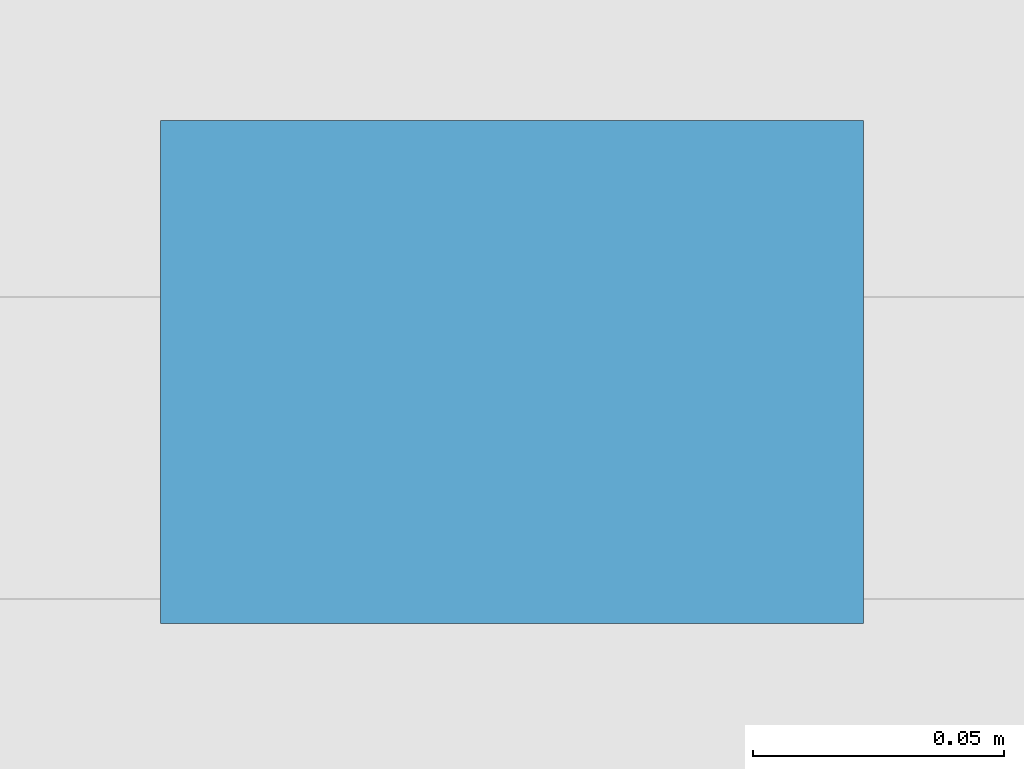
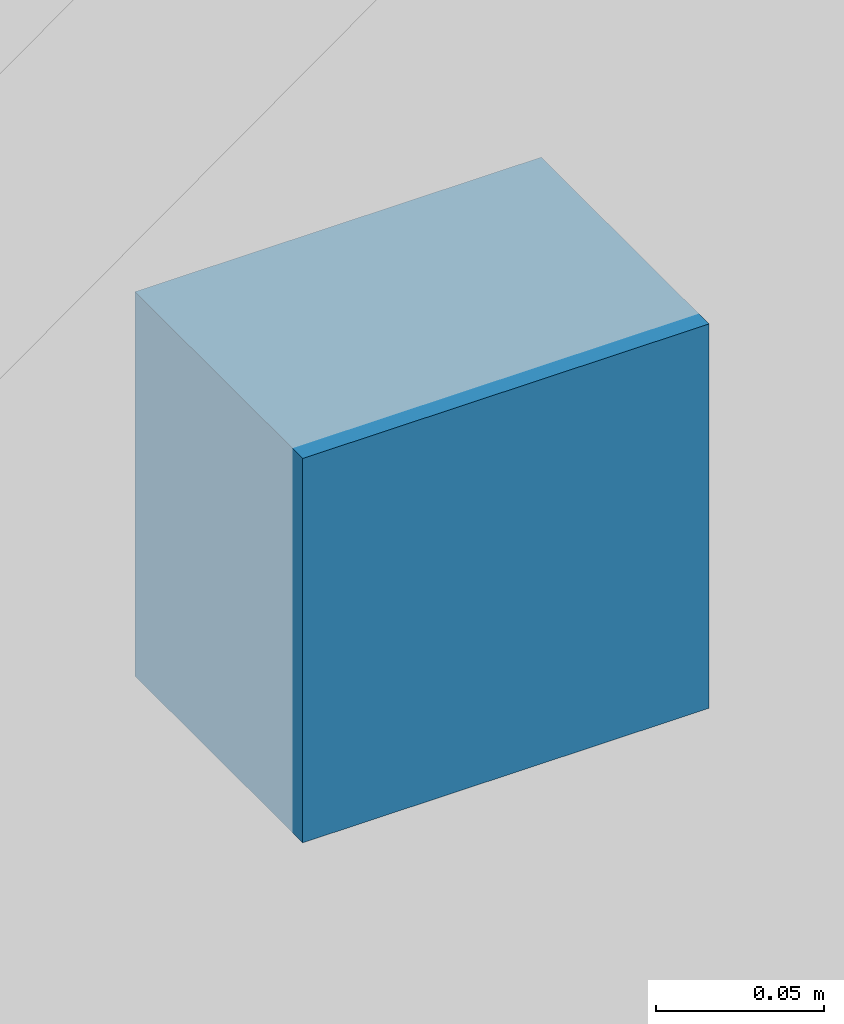
# One storey, part 105 of 127: 1 discrete accessory.
"""IFC4 building model written with IfcOpenShell, lengths in metres."""

from ifc_helpers import new_model, si_unit, direction, frame, origin, origin_2d, place, context, subcontext, project, spatial, rectangle, extrude, material, type_object, element, save


model = new_model("IFC4")

# Units and contexts
model_context = context("Model", 3, precision=1e-05, world=origin(), true_north=direction((0.0, 1.0)))
body_context = subcontext(model_context, "Body", "Model", "MODEL_VIEW")
ifc_project = project(units=[si_unit("LENGTHUNIT", "METRE"), si_unit("AREAUNIT", "SQUARE_METRE"), si_unit("VOLUMEUNIT", "CUBIC_METRE"), si_unit("PLANEANGLEUNIT", "RADIAN"), si_unit("MASSUNIT", "GRAM", prefix="KILO")], contexts=[model_context])

# Site, building, storey
site_placement = place(None, origin())
site = spatial("IfcSite", under=ifc_project, at=site_placement, CompositionType="ELEMENT")
building_placement = place(site_placement, origin())
building = spatial("IfcBuilding", under=site, at=building_placement, Name="Kalmorath City Hall", CompositionType="ELEMENT")
storey_placement = place(building_placement, frame((0.0, 0.0, 5.39990234375)))
storey = spatial("IfcBuildingStorey", under=building, at=storey_placement, Name="L01", CompositionType="ELEMENT", Elevation=5.39990234375)

# Discrete accessory
ifc_material = material(Name="Stainless steel Grade 316", Category="steel")
discrete_accessory_type = type_object("IfcDiscreteAccessoryType", Name="Stainless rainscreen support bracket", PredefinedType="BRACKET", material=ifc_material)
discrete_accessory_placement = place(storey_placement, frame((112.409912109375, 93.610107421875, 3.3310546875), z_axis=(0.0, 0.0, 1.0), x_axis=(-1.0, 0.0, 0.0)))
element("IfcDiscreteAccessory", 1, at=discrete_accessory_placement, inside=storey, type_object=discrete_accessory_type, Name="L01 basalt anchor bracket #33", PredefinedType="BRACKET", context=body_context, shape_type="SweptSolid", body=[
    extrude(rectangle(XDim=0.139892578125, YDim=0.10009765625, at=origin_2d()), origin(), (0.0, 0.0, 1.0), 0.139892578125),
])

save(model, "model.ifc")
